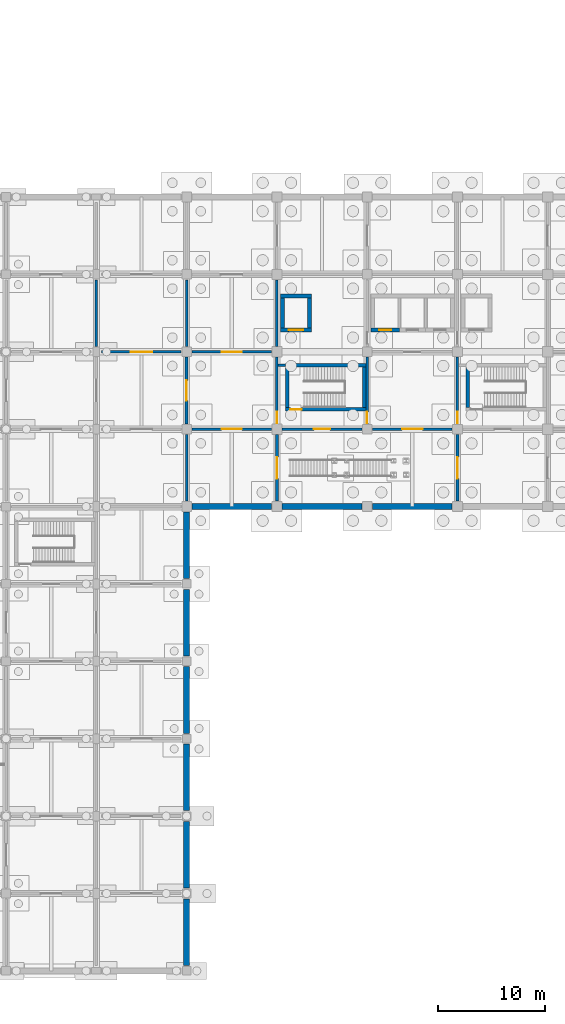
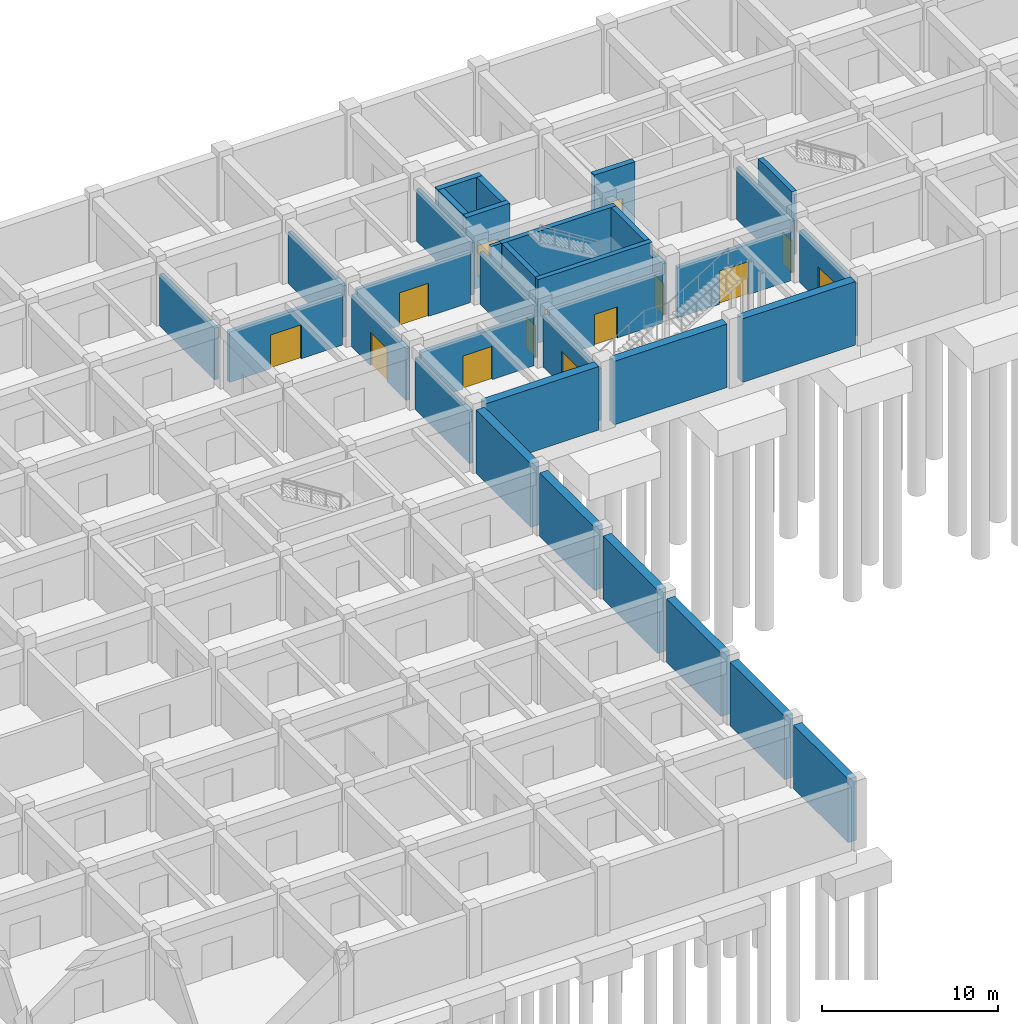
# One storey, part 28 of 38: 35 walls, 14 doors, 14 openings.
"""IFC4 building model written with IfcOpenShell, lengths in metres."""

from ifc_helpers import new_model, si_unit, derived_unit, direction, frame, frame_2d, origin, place, context, subcontext, project, spatial, rectangle, extrude, material, layer, layer_set, type_object, element, fill, save


model = new_model("IFC4")

# Units and contexts
model_context = context("Model", 3, precision=1e-05, world=origin(), true_north=direction((0.0, 1.0)))
body_context = subcontext(model_context, "Body", "Model", "MODEL_VIEW")
ifc_project = project(units=[si_unit("LENGTHUNIT", "METRE"), si_unit("AREAUNIT", "SQUARE_METRE"), si_unit("VOLUMEUNIT", "CUBIC_METRE"), si_unit("PLANEANGLEUNIT", "RADIAN"), si_unit("MASSUNIT", "GRAM", prefix="KILO"), derived_unit("THERMALTRANSMITTANCEUNIT", [(si_unit("MASSUNIT", "GRAM", prefix="KILO"), 1), (si_unit("TIMEUNIT", "SECOND"), -3), (si_unit("THERMODYNAMICTEMPERATUREUNIT", "KELVIN"), -1)])], contexts=[model_context])

# Site, building, storey
site_placement = place(None, origin())
site = spatial("IfcSite", under=ifc_project, at=site_placement, CompositionType="ELEMENT")
building_placement = place(site_placement, origin())
building = spatial("IfcBuilding", under=site, at=building_placement, Name="Veldstrom Oceanarium and Marine Research Institute", CompositionType="ELEMENT")
storey_placement = place(building_placement, frame((0.0, 0.0, -9.60009765625)))
storey = spatial("IfcBuildingStorey", under=building, at=storey_placement, Name="B02", CompositionType="ELEMENT", Elevation=-9.60009765625)

# Walls
ifc_material_1 = material(Name="Masonry Fire Compartment Wall", Category="masonry")
ifc_layer_1 = layer(ifc_material_1, 0.22998046875)
ifc_layer_set_1 = layer_set([ifc_layer_1], Name="ARC-WAL-PT1")
wall_type_1 = type_object("IfcWallType", Name="ARC-WAL-PT1", PredefinedType="PARTITIONING", material=ifc_layer_set_1)
for number, where, z_axis, x_axis, name in (
    (1, (67.199951171875, 43.699951171875, 0.0), (0.0, 0.0, 1.0), (0.0, 1.0, 0.0), "Interior Partition PT1 B02-0141"),
    (2, (67.199951171875, 58.10009765625, 0.0), (0.0, 0.0, 1.0), (0.0, 1.0, 0.0), "Interior Partition PT1 B02-0145"),
):
    element("IfcWall", number, at=place(storey_placement, frame(where, z_axis=z_axis, x_axis=x_axis)), inside=storey, type_object=wall_type_1, Name=name, PredefinedType="PARTITIONING", context=body_context, shape_type="SweptSolid", body=[
        extrude(rectangle(XDim=6.199951171875, YDim=0.22998046875, at=frame_2d((3.10009765625, 0.0))), origin(), (0.0, 0.0, 1.0), 3.59521484375),
    ])

# Wall, opening, door
wall_1_placement = place(storey_placement, frame((75.60009765625, 50.89990234375, 0.0), z_axis=(0.0, 0.0, 1.0), x_axis=(0.0, 1.0, 0.0)))
wall_1 = element("IfcWall", 3, at=wall_1_placement, inside=storey, type_object=wall_type_1, Name="Interior Partition PT1 B02-0150", PredefinedType="PARTITIONING", context=body_context, shape_type="SweptSolid", body=[
    extrude(rectangle(XDim=6.2001953125, YDim=0.22998046875, at=frame_2d((3.10009765625, 0.0))), origin(), (0.0, 0.0, 1.0), 3.59521484375),
])
opening_1_placement = place(wall_1_placement, frame((0.050048828125, 0.0, 0.0)))
opening_1 = element("IfcOpeningElement", 4, at=opening_1_placement, cuts=wall_1, Name="Opening D-B02-087", PredefinedType="OPENING", context=body_context, shape_type="SweptSolid", body=[
    extrude(rectangle(XDim=1.050048828125, YDim=2.14990234375, at=frame_2d((0.52490234375, 1.074951171875))), frame((0.0, 0.125, 0.0), z_axis=(0.0, -1.0, 0.0), x_axis=(1.0, 0.0, 0.0)), (0.0, 0.0, 1.0), 0.25),
])
ifc_material_2 = material(Name="Painted Steel Fire Door", Category="steel")
door_type_1 = type_object("IfcDoorType", Name="ARC-DOR-SD1", OperationType="SINGLE_SWING_LEFT", PredefinedType="DOOR", material=ifc_material_2)
door_1_placement = place(opening_1_placement, origin())
door_1 = element("IfcDoor", 5, at=door_1_placement, inside=storey, type_object=door_type_1, Name="Interior Door D-B02-087", OperationType="SINGLE_SWING_LEFT", OverallHeight=2.14990234375, OverallWidth=1.050048828125, PredefinedType="DOOR", context=body_context, shape_type="SweptSolid", body=[
    extrude(rectangle(XDim=1.050048828125, YDim=2.14990234375, at=frame_2d((0.52490234375, 1.074951171875))), frame((0.0, 0.02490234375, 0.0), z_axis=(0.0, -1.0, 0.0), x_axis=(1.0, 0.0, 0.0)), (0.0, 0.0, 1.0), 0.050048828125),
])
fill(opening_1, door_1)

wall_2_placement = place(storey_placement, frame((67.699951171875, 57.60009765625, 0.0), z_axis=(0.0, 0.0, 1.0), x_axis=(1.0, 0.0, 0.0)))
wall_2 = element("IfcWall", 6, at=wall_2_placement, inside=storey, type_object=wall_type_1, Name="Interior Partition PT1 B02-0151", PredefinedType="PARTITIONING", context=body_context, shape_type="SweptSolid", body=[
    extrude(rectangle(XDim=7.400146484375, YDim=0.22998046875, at=frame_2d((3.7001953125, 0.0))), origin(), (0.0, 0.0, 1.0), 3.4951171875),
])
opening_2_placement = place(wall_2_placement, frame((2.75, 0.0, 0.0)))
opening_2 = element("IfcOpeningElement", 7, at=opening_2_placement, cuts=wall_2, Name="Opening D-B02-088", PredefinedType="OPENING", context=body_context, shape_type="SweptSolid", body=[
    extrude(rectangle(XDim=1.89990234375, YDim=2.300048828125, at=frame_2d((0.949951171875, 1.14990234375))), frame((0.0, 0.125, 0.0), z_axis=(0.0, -1.0, 0.0), x_axis=(1.0, 0.0, 0.0)), (0.0, 0.0, 1.0), 0.25),
])
ifc_material_3 = material(Name="Plant Hall Equipment Door", Category="steel")
door_type_2 = type_object("IfcDoorType", Name="ARC-DOR-ID12", OperationType="DOUBLE_DOOR_SINGLE_SWING", PredefinedType="DOOR", material=ifc_material_3)
door_2_placement = place(opening_2_placement, frame((1.89990234375, 0.0, 0.0), z_axis=(0.0, 0.0, 1.0), x_axis=(-1.0, 0.0, 0.0)))
door_2 = element("IfcDoor", 8, at=door_2_placement, inside=storey, type_object=door_type_2, Name="Interior Door D-B02-088", OperationType="DOUBLE_DOOR_SINGLE_SWING", OverallHeight=2.300048828125, OverallWidth=1.89990234375, PredefinedType="DOOR", context=body_context, shape_type="SweptSolid", body=[
    extrude(rectangle(XDim=1.89990234375, YDim=2.300048828125, at=frame_2d((0.949951171875, 1.14990234375))), frame((0.0, 0.02490234375, 0.0), z_axis=(0.0, -1.0, 0.0), x_axis=(1.0, 0.0, 0.0)), (0.0, 0.0, 1.0), 0.050048828125),
])
fill(opening_2, door_2)

# Wall
wall_3_placement = place(storey_placement, frame((75.60009765625, 58.10009765625, 0.0), z_axis=(0.0, 0.0, 1.0), x_axis=(0.0, 1.0, 0.0)))
element("IfcWall", 9, at=wall_3_placement, inside=storey, type_object=wall_type_1, Name="Interior Partition PT1 B02-0152", PredefinedType="PARTITIONING", context=body_context, shape_type="SweptSolid", body=[
    extrude(rectangle(XDim=6.199951171875, YDim=0.22998046875, at=frame_2d((3.10009765625, 0.0))), origin(), (0.0, 0.0, 1.0), 3.59521484375),
])

# Wall, opening, door
wall_4_placement = place(storey_placement, frame((76.10009765625, 50.39990234375, 0.0), z_axis=(0.0, 0.0, 1.0), x_axis=(1.0, 0.0, 0.0)))
wall_4 = element("IfcWall", 10, at=wall_4_placement, inside=storey, type_object=wall_type_1, Name="Interior Partition PT1 B02-0155", PredefinedType="PARTITIONING", context=body_context, shape_type="SweptSolid", body=[
    extrude(rectangle(XDim=7.39990234375, YDim=0.22998046875, at=frame_2d((3.699951171875, 0.0))), origin(), (0.0, 0.0, 1.0), 3.4951171875),
])
opening_3_placement = place(wall_4_placement, frame((2.949951171875, 0.0, 0.0)))
opening_3 = element("IfcOpeningElement", 11, at=opening_3_placement, cuts=wall_4, Name="Opening D-B02-091", PredefinedType="OPENING", context=body_context, shape_type="SweptSolid", body=[
    extrude(rectangle(XDim=1.5, YDim=2.14990234375, at=frame_2d((0.75, 1.074951171875))), frame((0.0, 0.125, 0.0), z_axis=(0.0, -1.0, 0.0), x_axis=(1.0, 0.0, 0.0)), (0.0, 0.0, 1.0), 0.25),
])
ifc_material_4 = material(Name="Painted Steel Lobby Fire Door", Category="steel")
door_type_3 = type_object("IfcDoorType", Name="ARC-DOR-SD2", OperationType="DOUBLE_DOOR_SINGLE_SWING", PredefinedType="DOOR", material=ifc_material_4)
door_3_placement = place(opening_3_placement, frame((1.5, 0.0, 0.0), z_axis=(0.0, 0.0, 1.0), x_axis=(-1.0, 0.0, 0.0)))
door_3 = element("IfcDoor", 12, at=door_3_placement, inside=storey, type_object=door_type_3, Name="Interior Door D-B02-091", OperationType="DOUBLE_DOOR_SINGLE_SWING", OverallHeight=2.14990234375, OverallWidth=1.5, PredefinedType="DOOR", context=body_context, shape_type="SweptSolid", body=[
    extrude(rectangle(XDim=1.5, YDim=2.14990234375, at=frame_2d((0.75, 1.074951171875))), frame((0.0, 0.02490234375, 0.0), z_axis=(0.0, -1.0, 0.0), x_axis=(1.0, 0.0, 0.0)), (0.0, 0.0, 1.0), 0.050048828125),
])
fill(opening_3, door_3)

wall_5_placement = place(storey_placement, frame((84.0, 50.89990234375, 0.0), z_axis=(0.0, 0.0, 1.0), x_axis=(0.0, 1.0, 0.0)))
wall_5 = element("IfcWall", 13, at=wall_5_placement, inside=storey, type_object=wall_type_1, Name="Interior Partition PT1 B02-0156", PredefinedType="PARTITIONING", context=body_context, shape_type="SweptSolid", body=[
    extrude(rectangle(XDim=6.2001953125, YDim=0.22998046875, at=frame_2d((3.10009765625, 0.0))), origin(), (0.0, 0.0, 1.0), 3.59521484375),
])
opening_4_placement = place(wall_5_placement, frame((0.050048828125, 0.0, 0.0)))
opening_4 = element("IfcOpeningElement", 14, at=opening_4_placement, cuts=wall_5, Name="Opening D-B02-092", PredefinedType="OPENING", context=body_context, shape_type="SweptSolid", body=[
    extrude(rectangle(XDim=1.050048828125, YDim=2.14990234375, at=frame_2d((0.52490234375, 1.074951171875))), frame((0.0, 0.125, 0.0), z_axis=(0.0, -1.0, 0.0), x_axis=(1.0, 0.0, 0.0)), (0.0, 0.0, 1.0), 0.25),
])
door_4_placement = place(opening_4_placement, frame((1.050048828125, 0.0, 0.0), z_axis=(0.0, 0.0, 1.0), x_axis=(-1.0, 0.0, 0.0)))
door_4 = element("IfcDoor", 15, at=door_4_placement, inside=storey, type_object=door_type_1, Name="Interior Door D-B02-092", OperationType="SINGLE_SWING_RIGHT", OverallHeight=2.14990234375, OverallWidth=1.050048828125, PredefinedType="DOOR", context=body_context, shape_type="SweptSolid", body=[
    extrude(rectangle(XDim=1.050048828125, YDim=2.14990234375, at=frame_2d((0.52490234375, 1.074951171875))), frame((0.0, 0.02490234375, 0.0), z_axis=(0.0, -1.0, 0.0), x_axis=(1.0, 0.0, 0.0)), (0.0, 0.0, 1.0), 0.050048828125),
])
fill(opening_4, door_4)

# Wall
wall_6_placement = place(storey_placement, frame((75.719970703125, 56.360107421875, 0.0), z_axis=(0.0, 0.0, 1.0), x_axis=(1.0, 0.0, 0.0)))
element("IfcWall", 16, at=wall_6_placement, inside=storey, type_object=wall_type_1, Name="Interior Partition PT1 B02-0157", PredefinedType="PARTITIONING", context=body_context, shape_type="SweptSolid", body=[
    extrude(rectangle(XDim=0.679931640625, YDim=0.22998046875, at=frame_2d((0.33984375, 0.0))), origin(), (0.0, 0.0, 1.0), 4.400146484375),
])

# Wall, opening, door
wall_7_placement = place(storey_placement, frame((92.39990234375, 50.89990234375, 0.0), z_axis=(0.0, 0.0, 1.0), x_axis=(0.0, 1.0, 0.0)))
wall_7 = element("IfcWall", 17, at=wall_7_placement, inside=storey, type_object=wall_type_1, Name="Interior Partition PT1 B02-0163", PredefinedType="PARTITIONING", context=body_context, shape_type="SweptSolid", body=[
    extrude(rectangle(XDim=6.2001953125, YDim=0.22998046875, at=frame_2d((3.10009765625, 0.0))), origin(), (0.0, 0.0, 1.0), 3.59521484375),
])
opening_5_placement = place(wall_7_placement, frame((0.050048828125, 0.0, 0.0)))
opening_5 = element("IfcOpeningElement", 18, at=opening_5_placement, cuts=wall_7, Name="Opening D-B02-097", PredefinedType="OPENING", context=body_context, shape_type="SweptSolid", body=[
    extrude(rectangle(XDim=1.050048828125, YDim=2.14990234375, at=frame_2d((0.52490234375, 1.074951171875))), frame((0.0, 0.125, 0.0), z_axis=(0.0, -1.0, 0.0), x_axis=(1.0, 0.0, 0.0)), (0.0, 0.0, 1.0), 0.25),
])
door_5_placement = place(opening_5_placement, origin())
door_5 = element("IfcDoor", 19, at=door_5_placement, inside=storey, type_object=door_type_1, Name="Interior Door D-B02-097", OperationType="SINGLE_SWING_LEFT", OverallHeight=2.14990234375, OverallWidth=1.050048828125, PredefinedType="DOOR", context=body_context, shape_type="SweptSolid", body=[
    extrude(rectangle(XDim=1.050048828125, YDim=2.14990234375, at=frame_2d((0.52490234375, 1.074951171875))), frame((0.0, 0.02490234375, 0.0), z_axis=(0.0, -1.0, 0.0), x_axis=(1.0, 0.0, 0.0)), (0.0, 0.0, 1.0), 0.050048828125),
])
fill(opening_5, door_5)

# Wall
ifc_material_5 = material(Name="Plant Acoustic Masonry Wall", Category="masonry")
ifc_layer_2 = layer(ifc_material_5, 0.260009765625)
ifc_layer_set_2 = layer_set([ifc_layer_2], Name="ARC-WAL-PT8")
wall_type_2 = type_object("IfcWallType", Name="ARC-WAL-PT8", PredefinedType="PARTITIONING", material=ifc_layer_set_2)
wall_8_placement = place(storey_placement, frame((58.800048828125, 58.10009765625, 0.0), z_axis=(0.0, 0.0, 1.0), x_axis=(0.0, 1.0, 0.0)))
element("IfcWall", 20, at=wall_8_placement, inside=storey, type_object=wall_type_2, Name="Interior Partition PT8 B02-0132", PredefinedType="PARTITIONING", context=body_context, shape_type="SweptSolid", body=[
    extrude(rectangle(XDim=6.199951171875, YDim=0.260009765625, at=frame_2d((3.10009765625, 0.0))), origin(), (0.0, 0.0, 1.0), 3.59521484375),
])

# Wall, opening, door
wall_9_placement = place(storey_placement, frame((67.199951171875, 50.89990234375, 0.0), z_axis=(0.0, 0.0, 1.0), x_axis=(0.0, 1.0, 0.0)))
wall_9 = element("IfcWall", 21, at=wall_9_placement, inside=storey, type_object=wall_type_2, Name="Interior Partition PT8 B02-0143", PredefinedType="PARTITIONING", context=body_context, shape_type="SweptSolid", body=[
    extrude(rectangle(XDim=6.2001953125, YDim=0.260009765625, at=frame_2d((3.10009765625, 0.0))), origin(), (0.0, 0.0, 1.0), 3.59521484375),
])
opening_6_placement = place(wall_9_placement, frame((2.14990234375, 0.0, 0.0)))
opening_6 = element("IfcOpeningElement", 22, at=opening_6_placement, cuts=wall_9, Name="Opening D-B02-082", PredefinedType="OPENING", context=body_context, shape_type="SweptSolid", body=[
    extrude(rectangle(XDim=1.89990234375, YDim=2.300048828125, at=frame_2d((0.949951171875, 1.14990234375))), frame((0.0, 0.139892578125, 0.0), z_axis=(0.0, -1.0, 0.0), x_axis=(1.0, 0.0, 0.0)), (0.0, 0.0, 1.0), 0.280029296875),
])
door_6_placement = place(opening_6_placement, frame((1.89990234375, 0.0, 0.0), z_axis=(0.0, 0.0, 1.0), x_axis=(-1.0, 0.0, 0.0)))
door_6 = element("IfcDoor", 23, at=door_6_placement, inside=storey, type_object=door_type_2, Name="Interior Door D-B02-082", OperationType="DOUBLE_DOOR_SINGLE_SWING", OverallHeight=2.300048828125, OverallWidth=1.89990234375, PredefinedType="DOOR", context=body_context, shape_type="SweptSolid", body=[
    extrude(rectangle(XDim=1.89990234375, YDim=2.300048828125, at=frame_2d((0.949951171875, 1.14990234375))), frame((0.0, 0.02490234375, 0.0), z_axis=(0.0, -1.0, 0.0), x_axis=(1.0, 0.0, 0.0)), (0.0, 0.0, 1.0), 0.050048828125),
])
fill(opening_6, door_6)

wall_10_placement = place(storey_placement, frame((59.300048828125, 57.60009765625, 0.0), z_axis=(0.0, 0.0, 1.0), x_axis=(1.0, 0.0, 0.0)))
wall_10 = element("IfcWall", 24, at=wall_10_placement, inside=storey, type_object=wall_type_2, Name="Interior Partition PT8 B02-0144", PredefinedType="PARTITIONING", context=body_context, shape_type="SweptSolid", body=[
    extrude(rectangle(XDim=7.39990234375, YDim=0.260009765625, at=frame_2d((3.699951171875, 0.0))), origin(), (0.0, 0.0, 1.0), 3.4951171875),
])
opening_7_placement = place(wall_10_placement, frame((2.699951171875, 0.0, 0.0)))
opening_7 = element("IfcOpeningElement", 25, at=opening_7_placement, cuts=wall_10, Name="Opening D-B02-083", PredefinedType="OPENING", context=body_context, shape_type="SweptSolid", body=[
    extrude(rectangle(XDim=2.0, YDim=2.35009765625, at=frame_2d((1.0, 1.175048828125))), frame((0.0, 0.139892578125, 0.0), z_axis=(0.0, -1.0, 0.0), x_axis=(1.0, 0.0, 0.0)), (0.0, 0.0, 1.0), 0.280029296875),
])
ifc_material_6 = material(Name="Filtration Hall Double Door", Category="steel")
door_type_4 = type_object("IfcDoorType", Name="ARC-DOR-ID18", OperationType="DOUBLE_DOOR_SINGLE_SWING", PredefinedType="DOOR", material=ifc_material_6)
door_7_placement = place(opening_7_placement, origin())
door_7 = element("IfcDoor", 26, at=door_7_placement, inside=storey, type_object=door_type_4, Name="Interior Door D-B02-083", OperationType="DOUBLE_DOOR_SINGLE_SWING", OverallHeight=2.35009765625, OverallWidth=2.0, PredefinedType="DOOR", context=body_context, shape_type="SweptSolid", body=[
    extrude(rectangle(XDim=2.0, YDim=2.35009765625, at=frame_2d((1.0, 1.175048828125))), frame((0.0, 0.02490234375, 0.0), z_axis=(0.0, -1.0, 0.0), x_axis=(1.0, 0.0, 0.0)), (0.0, 0.0, 1.0), 0.050048828125),
])
fill(opening_7, door_7)

wall_11_placement = place(storey_placement, frame((75.60009765625, 43.699951171875, 0.0), z_axis=(0.0, 0.0, 1.0), x_axis=(0.0, 1.0, 0.0)))
wall_11 = element("IfcWall", 27, at=wall_11_placement, inside=storey, type_object=wall_type_2, Name="Interior Partition PT8 B02-0148", PredefinedType="PARTITIONING", context=body_context, shape_type="SweptSolid", body=[
    extrude(rectangle(XDim=6.199951171875, YDim=0.260009765625, at=frame_2d((3.10009765625, 0.0))), origin(), (0.0, 0.0, 1.0), 3.59521484375),
])
opening_8_placement = place(wall_11_placement, frame((2.10009765625, 0.0, 0.0)))
opening_8 = element("IfcOpeningElement", 28, at=opening_8_placement, cuts=wall_11, Name="Opening D-B02-085", PredefinedType="OPENING", context=body_context, shape_type="SweptSolid", body=[
    extrude(rectangle(XDim=2.0, YDim=2.35009765625, at=frame_2d((1.0, 1.175048828125))), frame((0.0, 0.139892578125, 0.0), z_axis=(0.0, -1.0, 0.0), x_axis=(1.0, 0.0, 0.0)), (0.0, 0.0, 1.0), 0.280029296875),
])
door_8_placement = place(opening_8_placement, frame((2.0, 0.0, 0.0), z_axis=(0.0, 0.0, 1.0), x_axis=(-1.0, 0.0, 0.0)))
door_8 = element("IfcDoor", 29, at=door_8_placement, inside=storey, type_object=door_type_4, Name="Interior Door D-B02-085", OperationType="DOUBLE_DOOR_SINGLE_SWING", OverallHeight=2.35009765625, OverallWidth=2.0, PredefinedType="DOOR", context=body_context, shape_type="SweptSolid", body=[
    extrude(rectangle(XDim=2.0, YDim=2.35009765625, at=frame_2d((1.0, 1.175048828125))), frame((0.0, 0.02490234375, 0.0), z_axis=(0.0, -1.0, 0.0), x_axis=(1.0, 0.0, 0.0)), (0.0, 0.0, 1.0), 0.050048828125),
])
fill(opening_8, door_8)

wall_12_placement = place(storey_placement, frame((67.699951171875, 50.39990234375, 0.0), z_axis=(0.0, 0.0, 1.0), x_axis=(1.0, 0.0, 0.0)))
wall_12 = element("IfcWall", 30, at=wall_12_placement, inside=storey, type_object=wall_type_2, Name="Interior Partition PT8 B02-0149", PredefinedType="PARTITIONING", context=body_context, shape_type="SweptSolid", body=[
    extrude(rectangle(XDim=7.400146484375, YDim=0.260009765625, at=frame_2d((3.7001953125, 0.0))), origin(), (0.0, 0.0, 1.0), 3.4951171875),
])
opening_9_placement = place(wall_12_placement, frame((2.75, 0.0, 0.0)))
opening_9 = element("IfcOpeningElement", 31, at=opening_9_placement, cuts=wall_12, Name="Opening D-B02-086", PredefinedType="OPENING", context=body_context, shape_type="SweptSolid", body=[
    extrude(rectangle(XDim=1.89990234375, YDim=2.300048828125, at=frame_2d((0.949951171875, 1.14990234375))), frame((0.0, 0.139892578125, 0.0), z_axis=(0.0, -1.0, 0.0), x_axis=(1.0, 0.0, 0.0)), (0.0, 0.0, 1.0), 0.280029296875),
])
door_9_placement = place(opening_9_placement, origin())
door_9 = element("IfcDoor", 32, at=door_9_placement, inside=storey, type_object=door_type_2, Name="Interior Door D-B02-086", OperationType="DOUBLE_DOOR_SINGLE_SWING", OverallHeight=2.300048828125, OverallWidth=1.89990234375, PredefinedType="DOOR", context=body_context, shape_type="SweptSolid", body=[
    extrude(rectangle(XDim=1.89990234375, YDim=2.300048828125, at=frame_2d((0.949951171875, 1.14990234375))), frame((0.0, 0.02490234375, 0.0), z_axis=(0.0, -1.0, 0.0), x_axis=(1.0, 0.0, 0.0)), (0.0, 0.0, 1.0), 0.050048828125),
])
fill(opening_9, door_9)

wall_13_placement = place(storey_placement, frame((92.39990234375, 43.699951171875, 0.0), z_axis=(0.0, 0.0, 1.0), x_axis=(0.0, 1.0, 0.0)))
wall_13 = element("IfcWall", 33, at=wall_13_placement, inside=storey, type_object=wall_type_2, Name="Interior Partition PT8 B02-0161", PredefinedType="PARTITIONING", context=body_context, shape_type="SweptSolid", body=[
    extrude(rectangle(XDim=6.199951171875, YDim=0.260009765625, at=frame_2d((3.10009765625, 0.0))), origin(), (0.0, 0.0, 1.0), 3.59521484375),
])
opening_10_placement = place(wall_13_placement, frame((2.10009765625, 0.0, 0.0)))
opening_10 = element("IfcOpeningElement", 34, at=opening_10_placement, cuts=wall_13, Name="Opening D-B02-095", PredefinedType="OPENING", context=body_context, shape_type="SweptSolid", body=[
    extrude(rectangle(XDim=2.0, YDim=2.35009765625, at=frame_2d((1.0, 1.175048828125))), frame((0.0, 0.139892578125, 0.0), z_axis=(0.0, -1.0, 0.0), x_axis=(1.0, 0.0, 0.0)), (0.0, 0.0, 1.0), 0.280029296875),
])
door_10_placement = place(opening_10_placement, frame((2.0, 0.0, 0.0), z_axis=(0.0, 0.0, 1.0), x_axis=(-1.0, 0.0, 0.0)))
door_10 = element("IfcDoor", 35, at=door_10_placement, inside=storey, type_object=door_type_4, Name="Interior Door D-B02-095", OperationType="DOUBLE_DOOR_SINGLE_SWING", OverallHeight=2.35009765625, OverallWidth=2.0, PredefinedType="DOOR", context=body_context, shape_type="SweptSolid", body=[
    extrude(rectangle(XDim=2.0, YDim=2.35009765625, at=frame_2d((1.0, 1.175048828125))), frame((0.0, 0.02490234375, 0.0), z_axis=(0.0, -1.0, 0.0), x_axis=(1.0, 0.0, 0.0)), (0.0, 0.0, 1.0), 0.050048828125),
])
fill(opening_10, door_10)

wall_14_placement = place(storey_placement, frame((84.5, 50.39990234375, 0.0), z_axis=(0.0, 0.0, 1.0), x_axis=(1.0, 0.0, 0.0)))
wall_14 = element("IfcWall", 36, at=wall_14_placement, inside=storey, type_object=wall_type_2, Name="Interior Partition PT8 B02-0162", PredefinedType="PARTITIONING", context=body_context, shape_type="SweptSolid", body=[
    extrude(rectangle(XDim=7.39990234375, YDim=0.260009765625, at=frame_2d((3.699951171875, 0.0))), origin(), (0.0, 0.0, 1.0), 3.4951171875),
])
opening_11_placement = place(wall_14_placement, frame((2.75, 0.0, 0.0)))
opening_11 = element("IfcOpeningElement", 37, at=opening_11_placement, cuts=wall_14, Name="Opening D-B02-096", PredefinedType="OPENING", context=body_context, shape_type="SweptSolid", body=[
    extrude(rectangle(XDim=1.89990234375, YDim=2.300048828125, at=frame_2d((0.949951171875, 1.14990234375))), frame((0.0, 0.139892578125, 0.0), z_axis=(0.0, -1.0, 0.0), x_axis=(1.0, 0.0, 0.0)), (0.0, 0.0, 1.0), 0.280029296875),
])
door_11_placement = place(opening_11_placement, frame((1.89990234375, 0.0, 0.0), z_axis=(0.0, 0.0, 1.0), x_axis=(-1.0, 0.0, 0.0)))
door_11 = element("IfcDoor", 38, at=door_11_placement, inside=storey, type_object=door_type_2, Name="Interior Door D-B02-096", OperationType="DOUBLE_DOOR_SINGLE_SWING", OverallHeight=2.300048828125, OverallWidth=1.89990234375, PredefinedType="DOOR", context=body_context, shape_type="SweptSolid", body=[
    extrude(rectangle(XDim=1.89990234375, YDim=2.300048828125, at=frame_2d((0.949951171875, 1.14990234375))), frame((0.0, 0.02490234375, 0.0), z_axis=(0.0, -1.0, 0.0), x_axis=(1.0, 0.0, 0.0)), (0.0, 0.0, 1.0), 0.050048828125),
])
fill(opening_11, door_11)

# Wall
ifc_material_7 = material(Name="Concrete C40/50", Category="concrete")
ifc_layer_3 = layer(ifc_material_7, 0.360107421875)
ifc_layer_set_3 = layer_set([ifc_layer_3], Name="STR-WAL-WC2")
wall_type_3 = type_object("IfcWallType", Name="STR-WAL-WC2", PredefinedType="SHEAR", material=ifc_layer_set_3)
wall_15_placement = place(storey_placement, frame((75.93994140625, 62.780029296875, -0.75), z_axis=(0.0, 0.0, 1.0), x_axis=(1.0, 0.0, 0.0)))
element("IfcWall", 39, at=wall_15_placement, inside=storey, type_object=wall_type_3, Name="Lift Shaft Shear Wall N B02 9/8", PredefinedType="SHEAR", context=body_context, shape_type="SweptSolid", body=[
    extrude(rectangle(XDim=2.8701171875, YDim=0.360107421875, at=frame_2d((1.43505859375, 0.0))), origin(), (0.0, 0.0, 1.0), 5.150146484375),
])

# Wall, opening, door
wall_16_placement = place(storey_placement, frame((75.93994140625, 59.6201171875, -0.75), z_axis=(0.0, 0.0, 1.0), x_axis=(1.0, 0.0, 0.0)))
wall_16 = element("IfcWall", 40, at=wall_16_placement, inside=storey, type_object=wall_type_3, Name="Lift Shaft Front Shear Wall LF1 B02", PredefinedType="SHEAR", context=body_context, shape_type="SweptSolid", body=[
    extrude(rectangle(XDim=2.8701171875, YDim=0.360107421875, at=frame_2d((1.43505859375, 0.0))), origin(), (0.0, 0.0, 1.0), 5.150146484375),
])
opening_12_placement = place(wall_16_placement, frame((0.760009765625, 0.0, 0.75)))
opening_12 = element("IfcOpeningElement", 41, at=opening_12_placement, cuts=wall_16, Name="Opening LD-LF1-B02", PredefinedType="OPENING", context=body_context, shape_type="SweptSolid", body=[
    extrude(rectangle(XDim=1.35009765625, YDim=2.199951171875, at=frame_2d((0.675048828125, 1.10009765625))), frame((0.0, 0.18994140625, 0.0), z_axis=(0.0, -1.0, 0.0), x_axis=(1.0, 0.0, 0.0)), (0.0, 0.0, 1.0), 0.380126953125),
])
ifc_material_8 = material(Name="Stainless Steel Lift Landing Door", Category="steel")
door_type_5 = type_object("IfcDoorType", Name="ARC-DOR-LD3", OperationType="DOUBLE_DOOR_SLIDING", PredefinedType="DOOR", material=ifc_material_8)
door_12_placement = place(opening_12_placement, origin())
door_12 = element("IfcDoor", 42, at=door_12_placement, inside=storey, type_object=door_type_5, Name="Lift Landing Door LD-LF1-B02", OperationType="DOUBLE_DOOR_SLIDING", OverallHeight=2.199951171875, OverallWidth=1.35009765625, PredefinedType="DOOR", context=body_context, shape_type="SweptSolid", body=[
    extrude(rectangle(XDim=1.35009765625, YDim=2.199951171875, at=frame_2d((0.675048828125, 1.10009765625))), frame((0.0, 0.02490234375, 0.0), z_axis=(0.0, -1.0, 0.0), x_axis=(1.0, 0.0, 0.0)), (0.0, 0.0, 1.0), 0.050048828125),
])
fill(opening_12, door_12)

# Walls
for number, where, z_axis, x_axis, name in (
    (43, (76.1201171875, 59.800048828125, -0.75), (0.0, 0.0, 1.0), (0.0, 1.0, 0.0), "Lift Shaft Shear Wall W B02 9/8"),
    (44, (78.6298828125, 59.800048828125, -0.75), (0.0, 0.0, 1.0), (0.0, 1.0, 0.0), "Lift Shaft Shear Wall E B02 9/8"),
):
    element("IfcWall", number, at=place(storey_placement, frame(where, z_axis=z_axis, x_axis=x_axis)), inside=storey, type_object=wall_type_3, Name=name, PredefinedType="SHEAR", context=body_context, shape_type="SweptSolid", body=[
        extrude(rectangle(XDim=2.800048828125, YDim=0.360107421875, at=frame_2d((1.39990234375, 0.0))), origin(), (0.0, 0.0, 1.0), 5.150146484375),
    ])

# Wall, opening, door
wall_17_placement = place(storey_placement, frame((84.340087890625, 59.6201171875, -0.75), z_axis=(0.0, 0.0, 1.0), x_axis=(1.0, 0.0, 0.0)))
wall_17 = element("IfcWall", 45, at=wall_17_placement, inside=storey, type_object=wall_type_3, Name="Lift Shaft Front Shear Wall LP1 B02", PredefinedType="SHEAR", context=body_context, shape_type="SweptSolid", body=[
    extrude(rectangle(XDim=2.659912109375, YDim=0.360107421875, at=frame_2d((1.330078125, 0.0))), origin(), (0.0, 0.0, 1.0), 5.150146484375),
])
opening_13_placement = place(wall_17_placement, frame((0.780029296875, 0.0, 0.75)))
opening_13 = element("IfcOpeningElement", 46, at=opening_13_placement, cuts=wall_17, Name="Opening LD-LP1-B02", PredefinedType="OPENING", context=body_context, shape_type="SweptSolid", body=[
    extrude(rectangle(XDim=1.10009765625, YDim=2.14990234375, at=frame_2d((0.550048828125, 1.074951171875))), frame((0.0, 0.18994140625, 0.0), z_axis=(0.0, -1.0, 0.0), x_axis=(1.0, 0.0, 0.0)), (0.0, 0.0, 1.0), 0.380126953125),
])
ifc_material_9 = material(Name="Stainless Steel Lift Landing Door", Category="steel")
door_type_6 = type_object("IfcDoorType", Name="ARC-DOR-LD1", OperationType="DOUBLE_DOOR_SLIDING", PredefinedType="DOOR", material=ifc_material_9)
door_13_placement = place(opening_13_placement, origin())
door_13 = element("IfcDoor", 47, at=door_13_placement, inside=storey, type_object=door_type_6, Name="Lift Landing Door LD-LP1-B02", OperationType="DOUBLE_DOOR_SLIDING", OverallHeight=2.14990234375, OverallWidth=1.10009765625, PredefinedType="DOOR", context=body_context, shape_type="SweptSolid", body=[
    extrude(rectangle(XDim=1.10009765625, YDim=2.14990234375, at=frame_2d((0.550048828125, 1.074951171875))), frame((0.0, 0.02490234375, 0.0), z_axis=(0.0, -1.0, 0.0), x_axis=(1.0, 0.0, 0.0)), (0.0, 0.0, 1.0), 0.050048828125),
])
fill(opening_13, door_13)

ifc_material_10 = material(Name="Concrete C40/50", Category="concrete")
ifc_layer_4 = layer(ifc_material_10, 0.320068359375)
ifc_layer_set_4 = layer_set([ifc_layer_4], Name="STR-WAL-WC3")
wall_type_4 = type_object("IfcWallType", Name="STR-WAL-WC3", PredefinedType="SHEAR", material=ifc_layer_set_4)
wall_18_placement = place(storey_placement, frame((76.39990234375, 52.239990234375, 0.0), z_axis=(0.0, 0.0, 1.0), x_axis=(1.0, 0.0, 0.0)))
wall_18 = element("IfcWall", 48, at=wall_18_placement, inside=storey, type_object=wall_type_4, Name="Stair Core Shear Wall SC1-B02-S", PredefinedType="SHEAR", context=body_context, shape_type="SweptSolid", body=[
    extrude(rectangle(XDim=7.47998046875, YDim=0.320068359375, at=frame_2d((3.739990234375, 0.0))), origin(), (0.0, 0.0, 1.0), 4.400146484375),
])
opening_14_placement = place(wall_18_placement, frame((0.449951171875, 0.0, 0.0)))
opening_14 = element("IfcOpeningElement", 49, at=opening_14_placement, cuts=wall_18, Name="Opening D-ST1-B02", PredefinedType="OPENING", context=body_context, shape_type="SweptSolid", body=[
    extrude(rectangle(XDim=1.050048828125, YDim=2.14990234375, at=frame_2d((0.52490234375, 1.074951171875))), frame((0.0, 0.169921875, 0.0), z_axis=(0.0, -1.0, 0.0), x_axis=(1.0, 0.0, 0.0)), (0.0, 0.0, 1.0), 0.340087890625),
])
door_14_placement = place(opening_14_placement, origin())
door_14 = element("IfcDoor", 50, at=door_14_placement, inside=storey, type_object=door_type_1, Name="Escape Stair Fire Door D-ST1-B02", OperationType="SINGLE_SWING_LEFT", OverallHeight=2.14990234375, OverallWidth=1.050048828125, PredefinedType="DOOR", context=body_context, shape_type="SweptSolid", body=[
    extrude(rectangle(XDim=1.050048828125, YDim=2.14990234375, at=frame_2d((0.52490234375, 1.074951171875))), frame((0.0, 0.02490234375, 0.0), z_axis=(0.0, -1.0, 0.0), x_axis=(1.0, 0.0, 0.0)), (0.0, 0.0, 1.0), 0.050048828125),
])
fill(opening_14, door_14)

# Walls
wall_19_placement = place(storey_placement, frame((76.39990234375, 56.360107421875, 0.0), z_axis=(0.0, 0.0, 1.0), x_axis=(1.0, 0.0, 0.0)))
element("IfcWall", 51, at=wall_19_placement, inside=storey, type_object=wall_type_4, Name="Stair Core Shear Wall SC1-B02-N", PredefinedType="SHEAR", context=body_context, shape_type="SweptSolid", body=[
    extrude(rectangle(XDim=7.47998046875, YDim=0.320068359375, at=frame_2d((3.739990234375, 0.0))), origin(), (0.0, 0.0, 1.0), 4.400146484375),
])
for number, where, z_axis, x_axis, name in (
    (52, (76.56005859375, 52.39990234375, 0.0), (0.0, 0.0, 1.0), (0.0, 1.0, 0.0), "Stair Core Shear Wall SC1-B02-W"),
    (53, (83.719970703125, 52.39990234375, 0.0), (0.0, 0.0, 1.0), (0.0, 1.0, 0.0), "Stair Core Shear Wall SC1-B02-E"),
    (54, (93.360107421875, 52.39990234375, 0.0), (0.0, 0.0, 1.0), (0.0, 1.0, 0.0), "Stair Core Shear Wall SC2-B02-W"),
):
    element("IfcWall", number, at=place(storey_placement, frame(where, z_axis=z_axis, x_axis=x_axis)), inside=storey, type_object=wall_type_4, Name=name, PredefinedType="SHEAR", context=body_context, shape_type="SweptSolid", body=[
        extrude(rectangle(XDim=3.800048828125, YDim=0.320068359375, at=frame_2d((1.89990234375, 0.0))), origin(), (0.0, 0.0, 1.0), 4.400146484375),
    ])
ifc_material_11 = material(Name="Concrete C40/50", Category="concrete")
ifc_layer_5 = layer(ifc_material_11, 0.550048828125)
ifc_layer_set_5 = layer_set([ifc_layer_5], Name="STR-WAL-WR1")
wall_type_5 = type_object("IfcWallType", Name="STR-WAL-WR1", PredefinedType="USERDEFINED", material=ifc_layer_set_5)
for number, where, z_axis, x_axis, name in (
    (55, (67.199951171875, 0.5, 0.0), (0.0, 0.0, 1.0), (0.0, 1.0, 0.0), "Basement Retaining Wall WR1-B02-026"),
    (56, (67.199951171875, 7.699951171875, 0.0), (0.0, 0.0, 1.0), (0.0, 1.0, 0.0), "Basement Retaining Wall WR1-B02-027"),
):
    element("IfcWall", number, at=place(storey_placement, frame(where, z_axis=z_axis, x_axis=x_axis)), inside=storey, type_object=wall_type_5, Name=name, ObjectType="Retaining wall", PredefinedType="USERDEFINED", context=body_context, shape_type="SweptSolid", body=[
        extrude(rectangle(XDim=6.199951171875, YDim=0.550048828125, at=frame_2d((3.10009765625, 0.0))), origin(), (0.0, 0.0, 1.0), 4.400146484375),
    ])
wall_20_placement = place(storey_placement, frame((67.199951171875, 14.89990234375, 0.0), z_axis=(0.0, 0.0, 1.0), x_axis=(0.0, 1.0, 0.0)))
element("IfcWall", 57, at=wall_20_placement, inside=storey, type_object=wall_type_5, Name="Basement Retaining Wall WR1-B02-028", ObjectType="Retaining wall", PredefinedType="USERDEFINED", context=body_context, shape_type="SweptSolid", body=[
    extrude(rectangle(XDim=6.2001953125, YDim=0.550048828125, at=frame_2d((3.10009765625, 0.0))), origin(), (0.0, 0.0, 1.0), 4.400146484375),
])
for number, where, z_axis, x_axis, name in (
    (58, (67.199951171875, 22.10009765625, 0.0), (0.0, 0.0, 1.0), (0.0, 1.0, 0.0), "Basement Retaining Wall WR1-B02-029"),
    (59, (67.199951171875, 29.300048828125, 0.0), (0.0, 0.0, 1.0), (0.0, 1.0, 0.0), "Basement Retaining Wall WR1-B02-030"),
    (60, (67.199951171875, 36.5, 0.0), (0.0, 0.0, 1.0), (0.0, 1.0, 0.0), "Basement Retaining Wall WR1-B02-031"),
):
    element("IfcWall", number, at=place(storey_placement, frame(where, z_axis=z_axis, x_axis=x_axis)), inside=storey, type_object=wall_type_5, Name=name, ObjectType="Retaining wall", PredefinedType="USERDEFINED", context=body_context, shape_type="SweptSolid", body=[
        extrude(rectangle(XDim=6.199951171875, YDim=0.550048828125, at=frame_2d((3.10009765625, 0.0))), origin(), (0.0, 0.0, 1.0), 4.400146484375),
    ])
wall_21_placement = place(storey_placement, frame((67.699951171875, 43.199951171875, 0.0), z_axis=(0.0, 0.0, 1.0), x_axis=(1.0, 0.0, 0.0)))
element("IfcWall", 61, at=wall_21_placement, inside=storey, type_object=wall_type_5, Name="Basement Retaining Wall WR1-B02-033", ObjectType="Retaining wall", PredefinedType="USERDEFINED", context=body_context, shape_type="SweptSolid", body=[
    extrude(rectangle(XDim=7.400146484375, YDim=0.550048828125, at=frame_2d((3.7001953125, 0.0))), origin(), (0.0, 0.0, 1.0), 4.400146484375),
])
for number, where, z_axis, x_axis, name in (
    (62, (76.10009765625, 43.199951171875, 0.0), (0.0, 0.0, 1.0), (1.0, 0.0, 0.0), "Basement Retaining Wall WR1-B02-035"),
    (63, (84.5, 43.199951171875, 0.0), (0.0, 0.0, 1.0), (1.0, 0.0, 0.0), "Basement Retaining Wall WR1-B02-037"),
):
    element("IfcWall", number, at=place(storey_placement, frame(where, z_axis=z_axis, x_axis=x_axis)), inside=storey, type_object=wall_type_5, Name=name, ObjectType="Retaining wall", PredefinedType="USERDEFINED", context=body_context, shape_type="SweptSolid", body=[
        extrude(rectangle(XDim=7.39990234375, YDim=0.550048828125, at=frame_2d((3.699951171875, 0.0))), origin(), (0.0, 0.0, 1.0), 4.400146484375),
    ])

save(model, "model.ifc")
